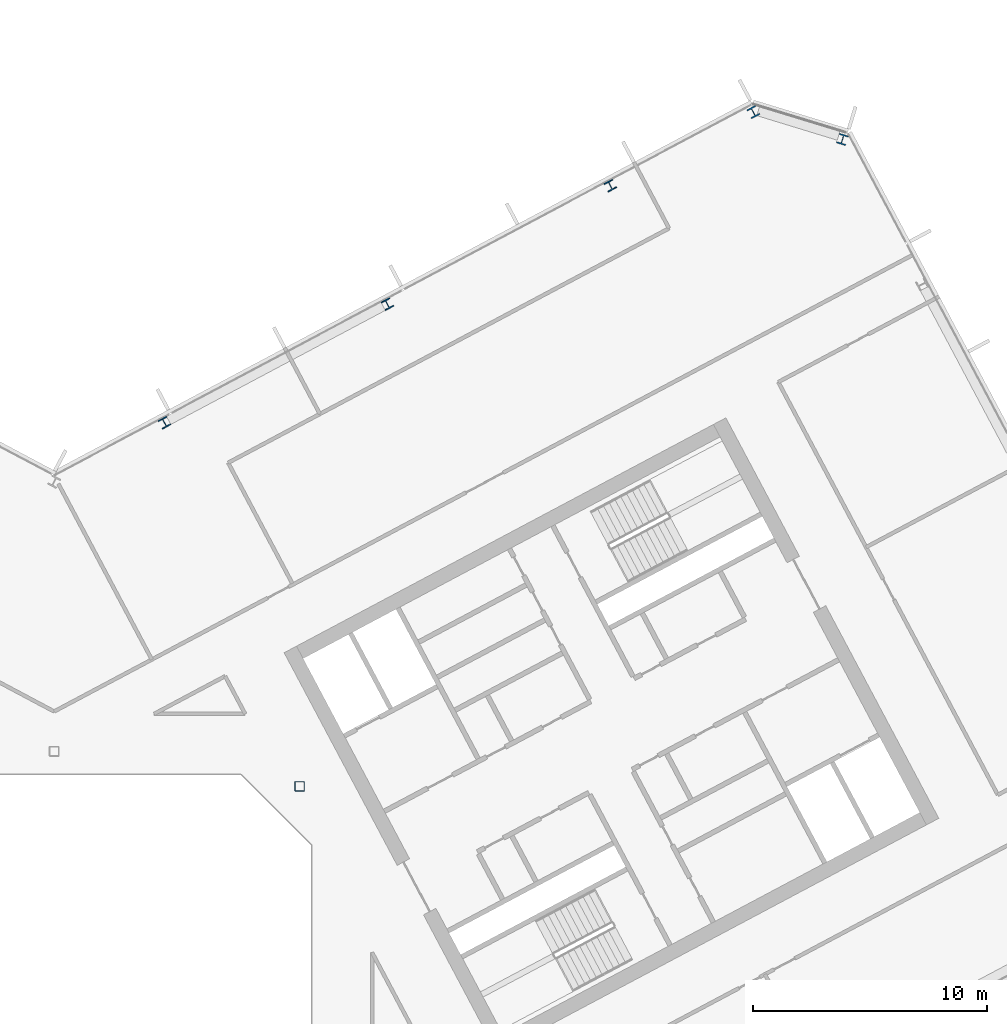
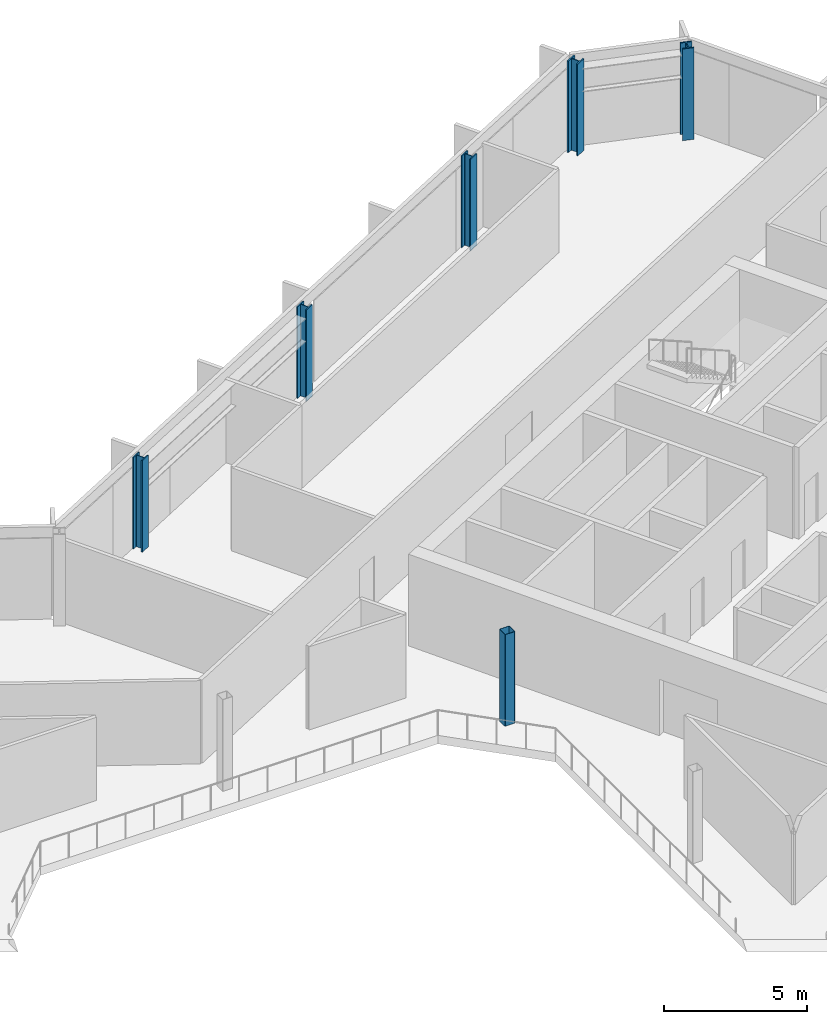
# One storey, part 6 of 27: 6 columns.
"""IFC4 building model written with IfcOpenShell, lengths in metres."""

from ifc_helpers import new_model, si_unit, direction, frame, origin, origin_2d, place, context, subcontext, project, spatial, hollow_rectangle, i_section, extrude, material, material_profile, profile_set, type_object, element, save


model = new_model("IFC4")

# Units and contexts
model_context = context("Model", 3, precision=1e-05, world=origin(), true_north=direction((0.0, 1.0)))
body_context = subcontext(model_context, "Body", "Model", "MODEL_VIEW")
ifc_project = project(units=[si_unit("LENGTHUNIT", "METRE"), si_unit("AREAUNIT", "SQUARE_METRE"), si_unit("VOLUMEUNIT", "CUBIC_METRE"), si_unit("PLANEANGLEUNIT", "RADIAN"), si_unit("MASSUNIT", "GRAM", prefix="KILO")], contexts=[model_context])

# Site, building, storey
site_placement = place(None, origin())
site = spatial("IfcSite", under=ifc_project, at=site_placement, CompositionType="ELEMENT")
building_placement = place(site_placement, origin())
building = spatial("IfcBuilding", under=site, at=building_placement, Name="Cormorant Relay Tower", CompositionType="ELEMENT")
storey_placement = place(building_placement, frame((0.0, 0.0, 216.89990234375)))
storey = spatial("IfcBuildingStorey", under=building, at=storey_placement, Name="L47", CompositionType="ELEMENT", Elevation=216.89990234375)

# Columns
ifc_material_1 = material(Name="Steel ASTM A500 Grade C (Fy 345 MPa)", Category="steel")
ifc_material_profile_1 = material_profile(ifc_material_1, hollow_rectangle(XDim=0.406494140625, YDim=0.406494140625, WallThickness=0.0146484375, InnerFilletRadius=0.00732421875, OuterFilletRadius=0.022216796875, at=origin_2d()), Name="HSS406x406x15")
ifc_profile_set_1 = profile_set([ifc_material_profile_1], Name="Steel ASTM A500 Grade C (Fy 345 MPa)")
column_type_1 = type_object("IfcColumnType", Name="Column HSS406x406x15", PredefinedType="COLUMN", material=ifc_profile_set_1)
column_placement = place(storey_placement, frame((10.5, 10.5, 0.0), z_axis=(0.0, 0.0, 1.0), x_axis=(1.0, 0.0, 0.0)))
element("IfcColumn", 1, at=column_placement, inside=storey, type_object=column_type_1, Name="Column L47-024", PredefinedType="COLUMN", context=body_context, shape_type="SweptSolid", body=[
    extrude(hollow_rectangle(XDim=0.406494140625, YDim=0.406494140625, WallThickness=0.0146484375, InnerFilletRadius=0.00732421875, OuterFilletRadius=0.022216796875, at=origin_2d()), origin(), (0.0, 0.0, 1.0), 3.900146484375),
])
ifc_material_2 = material(Name="Steel ASTM A992 (Fy 345 MPa)", Category="steel")
ifc_material_profile_2 = material_profile(ifc_material_2, i_section(OverallWidth=0.40380859375, OverallDepth=0.406494140625, WebThickness=0.027099609375, FlangeThickness=0.043701171875, FilletRadius=0.01513671875, at=origin_2d()), Name="W360x347")
ifc_profile_set_2 = profile_set([ifc_material_profile_2], Name="Steel ASTM A992 (Fy 345 MPa)")
column_type_2 = type_object("IfcColumnType", Name="Column W360x347", PredefinedType="COLUMN", material=ifc_profile_set_2)
for number, where, z_axis, x_axis, name in (
    (2, (4.719970703125, 26.055908203125, 0.0), (0.0, 0.0, 1.0), (-0.882947592859, -0.469471562786, 0.0), "Column L47-032"),
    (3, (14.256103515625, 31.1259765625, 0.0), (0.0, 0.0, 1.0), (-0.882947592859, -0.469471562786, 0.0), "Column L47-035"),
    (4, (23.7919921875, 36.196044921875, 0.0), (0.0, 0.0, 1.0), (-0.882947592859, -0.469471562786, 0.0), "Column L47-039"),
):
    element("IfcColumn", number, at=place(storey_placement, frame(where, z_axis=z_axis, x_axis=x_axis)), inside=storey, type_object=column_type_2, Name=name, PredefinedType="COLUMN", context=body_context, shape_type="SweptSolid", body=[
        extrude(i_section(OverallWidth=0.40380859375, OverallDepth=0.406494140625, WebThickness=0.027099609375, FlangeThickness=0.043701171875, FilletRadius=0.01513671875, at=origin_2d()), origin(), (0.0, 0.0, 1.0), 3.900146484375),
    ])
ifc_material_3 = material(Name="Steel ASTM A992 (Fy 345 MPa)", Category="steel")
ifc_material_profile_3 = material_profile(ifc_material_3, i_section(OverallWidth=0.41162109375, OverallDepth=0.434326171875, WebThickness=0.035888671875, FlangeThickness=0.057373046875, FilletRadius=0.01513671875, at=origin_2d()), Name="W360x463")
ifc_profile_set_3 = profile_set([ifc_material_profile_3], Name="Steel ASTM A992 (Fy 345 MPa)")
column_type_3 = type_object("IfcColumnType", Name="Column W360x463", PredefinedType="COLUMN", material=ifc_profile_set_3)
for number, where, z_axis, x_axis, name in (
    (5, (33.720947265625, 38.173095703125, 0.0), (0.0, 0.0, 1.0), (-0.956304755963, 0.292371704723, 0.0), "Column L47-041"),
    (6, (29.905029296875, 39.340087890625, 0.0), (0.0, 0.0, 1.0), (-0.882947592859, -0.469471562786, 0.0), "Column L47-043"),
):
    element("IfcColumn", number, at=place(storey_placement, frame(where, z_axis=z_axis, x_axis=x_axis)), inside=storey, type_object=column_type_3, Name=name, PredefinedType="COLUMN", context=body_context, shape_type="SweptSolid", body=[
        extrude(i_section(OverallWidth=0.41162109375, OverallDepth=0.434326171875, WebThickness=0.035888671875, FlangeThickness=0.057373046875, FilletRadius=0.01513671875, at=origin_2d()), origin(), (0.0, 0.0, 1.0), 3.900146484375),
    ])

save(model, "model.ifc")
